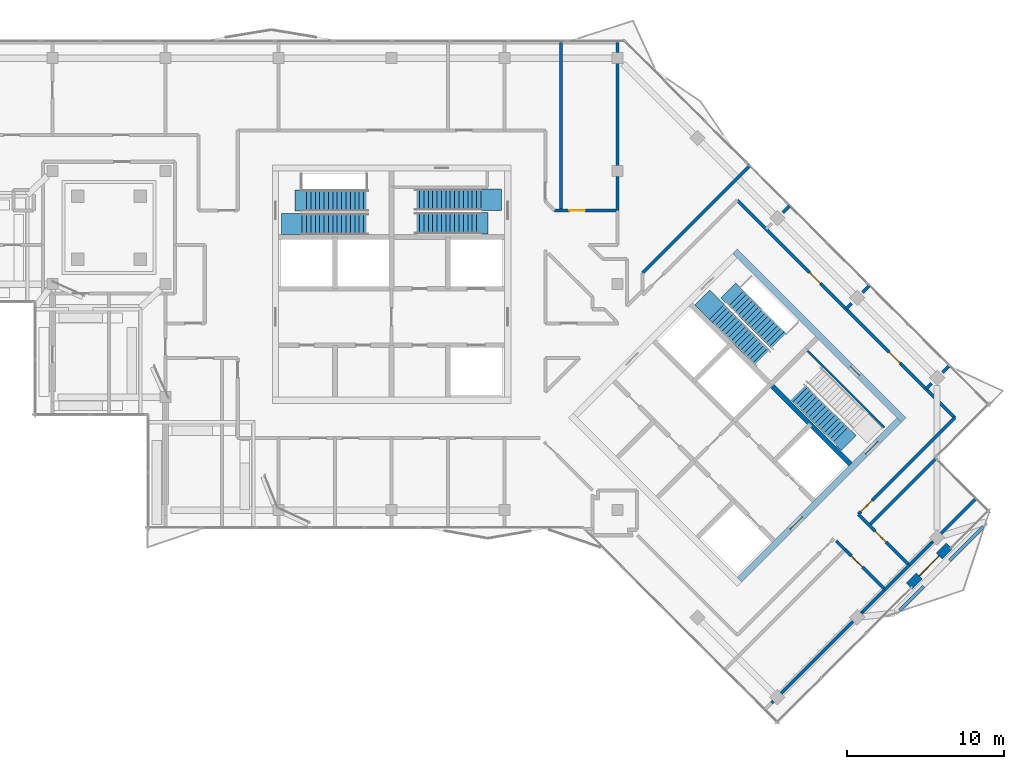
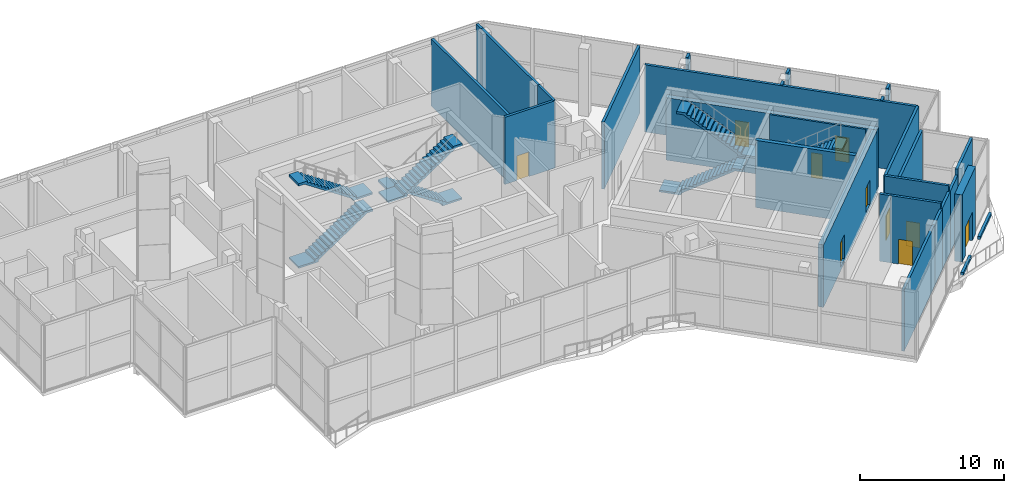
# One storey, part 15 of 19: 29 walls, 10 doors, 7 stair flights, 10 openings, 4 elements without a shape of their own.
"""IFC4 building model written with IfcOpenShell, lengths in metres."""

from ifc_helpers import new_model, si_unit, direction, frame, frame_2d, origin, place, context, subcontext, project, spatial, polyline, rectangle, outline, extrude, material, layer, layer_set, type_object, element, fill, aggregate, save


model = new_model("IFC4")

# Units and contexts
model_context = context("Model", 3, precision=1e-05, world=origin(), true_north=direction((0.0, 1.0)))
body_context = subcontext(model_context, "Body", "Model", "MODEL_VIEW")
ifc_project = project(units=[si_unit("LENGTHUNIT", "METRE"), si_unit("AREAUNIT", "SQUARE_METRE"), si_unit("VOLUMEUNIT", "CUBIC_METRE"), si_unit("PLANEANGLEUNIT", "RADIAN"), si_unit("MASSUNIT", "GRAM", prefix="KILO")], contexts=[model_context])

# Site, building, storey
site_placement = place(None, origin())
site = spatial("IfcSite", under=ifc_project, at=site_placement, CompositionType="ELEMENT")
building_placement = place(site_placement, origin())
building = spatial("IfcBuilding", under=site, at=building_placement, Name="Windrow Commons", CompositionType="ELEMENT")
storey_placement = place(building_placement, frame((0.0, 0.0, 284.6)))
storey = spatial("IfcBuildingStorey", under=building, at=storey_placement, Name="L78", CompositionType="ELEMENT", Elevation=284.6)

# Wall, opening, door
ifc_material_1 = material(Name="Brick masonry, red clay brick", Category="masonry")
ifc_layer_1 = layer(ifc_material_1, 0.55)
ifc_layer_set_1 = layer_set([ifc_layer_1], Name="Brick facade wall 550")
wall_type_1 = type_object("IfcWallType", Name="Brick facade wall 550", PredefinedType="SOLIDWALL", material=ifc_layer_set_1)
wall_1_placement = place(storey_placement, frame((97.7905, 38.3707, 0.0), z_axis=(0.0, 0.0, 1.0), x_axis=(0.7071067812, 0.7071067812, 0.0)))
wall_1 = element("IfcWall", 1, at=wall_1_placement, inside=storey, type_object=wall_type_1, Name="Brick facade wall L78 door pier 1", PredefinedType="SOLIDWALL", context=body_context, shape_type="SweptSolid", body=[
    extrude(rectangle(XDim=3.6, YDim=0.55, at=frame_2d((1.8, 0.0))), origin(), (0.0, 0.0, 1.0), 5.7),
])
opening_1_placement = place(wall_1_placement, frame((0.9, 0.0, 0.0)))
opening_1 = element("IfcOpeningElement", 2, at=opening_1_placement, cuts=wall_1, Name="Opening TD5", PredefinedType="OPENING", context=body_context, shape_type="SweptSolid", body=[
    extrude(rectangle(XDim=1.8, YDim=2.4, at=frame_2d((0.9, 1.2))), frame((0.0, 0.285, 0.0), z_axis=(0.0, -1.0, 0.0), x_axis=(1.0, 0.0, 0.0)), (0.0, 0.0, 1.0), 0.57),
])
ifc_material_2 = material(Name="Aluminium 6063-T6 anodised frame with clear glass", Category="aluminium")
door_type_1 = type_object("IfcDoorType", Name="Terrace door TD5 1800x2400", OperationType="DOUBLE_DOOR_SINGLE_SWING", PredefinedType="DOOR", material=ifc_material_2)
door_1_placement = place(opening_1_placement, origin())
door_1 = element("IfcDoor", 3, at=door_1_placement, inside=storey, type_object=door_type_1, Name="Terrace door L78 1.1", OperationType="SINGLE_SWING_LEFT", OverallHeight=2.4, OverallWidth=1.8, PredefinedType="DOOR", context=body_context, shape_type="SweptSolid", body=[
    extrude(rectangle(XDim=1.8, YDim=2.4, at=frame_2d((0.9, 1.2))), frame((0.0, 0.025, 0.0), z_axis=(0.0, -1.0, 0.0), x_axis=(1.0, 0.0, 0.0)), (0.0, 0.0, 1.0), 0.05),
])
fill(opening_1, door_1)

# Wall, openings, doors
ifc_material_3 = material(Name="Blockwork partition", Category="masonry")
ifc_layer_2 = layer(ifc_material_3, 0.2)
ifc_layer_set_2 = layer_set([ifc_layer_2], Name="IW-CORRIDOR-200")
wall_type_2 = type_object("IfcWallType", Name="IW-CORRIDOR-200", PredefinedType="PARTITIONING", material=ifc_layer_set_2)
wall_2_placement = place(storey_placement, frame((86.8327, 62.9467, 0.0), z_axis=(0.0, 0.0, 1.0), x_axis=(0.7071067812, -0.7071067812, 0.0)))
wall_2 = element("IfcWall", 4, at=wall_2_placement, inside=storey, type_object=wall_type_2, Name="W-L78-W002", PredefinedType="PARTITIONING", context=body_context, shape_type="SweptSolid", body=[
    extrude(rectangle(XDim=19.601, YDim=0.2, at=frame_2d((9.8005, 0.0))), origin(), (0.0, 0.0, 1.0), 5.7),
])
opening_2_placement = place(wall_2_placement, frame((6.4875, 0.0, 0.0)))
opening_2 = element("IfcOpeningElement", 5, at=opening_2_placement, cuts=wall_2, Name="Opening D410F", PredefinedType="OPENING", context=body_context, shape_type="SweptSolid", body=[
    extrude(rectangle(XDim=1.0, YDim=2.1, at=frame_2d((0.5, 1.05))), frame((0.0, 0.11, 0.0), z_axis=(0.0, -1.0, 0.0), x_axis=(1.0, 0.0, 0.0)), (0.0, 0.0, 1.0), 0.22),
])
opening_3_placement = place(wall_2_placement, frame((13.6875, 0.0, 0.0)))
opening_3 = element("IfcOpeningElement", 6, at=opening_3_placement, cuts=wall_2, Name="Opening D410F", PredefinedType="OPENING", context=body_context, shape_type="SweptSolid", body=[
    extrude(rectangle(XDim=1.0, YDim=2.1, at=frame_2d((0.5, 1.05))), frame((0.0, 0.11, 0.0), z_axis=(0.0, -1.0, 0.0), x_axis=(1.0, 0.0, 0.0)), (0.0, 0.0, 1.0), 0.22),
])
ifc_material_4 = material(Name="Timber door leaf", Category="wood")
door_type_2 = type_object("IfcDoorType", Name="DT-SERVICE-1000", OperationType="SINGLE_SWING_LEFT", PredefinedType="DOOR", material=ifc_material_4)
door_2_placement = place(opening_2_placement, origin())
door_2 = element("IfcDoor", 7, at=door_2_placement, inside=storey, type_object=door_type_2, Name="D-L78-D024", OperationType="SINGLE_SWING_LEFT", OverallHeight=2.1, OverallWidth=1.0, PredefinedType="DOOR", context=body_context, shape_type="SweptSolid", body=[
    extrude(rectangle(XDim=1.0, YDim=2.1, at=frame_2d((0.5, 1.05))), frame((0.0, 0.025, 0.0), z_axis=(0.0, -1.0, 0.0), x_axis=(1.0, 0.0, 0.0)), (0.0, 0.0, 1.0), 0.05),
])
fill(opening_2, door_2)
door_3_placement = place(opening_3_placement, origin())
door_3 = element("IfcDoor", 8, at=door_3_placement, inside=storey, type_object=door_type_2, Name="D-L78-D025", OperationType="SINGLE_SWING_LEFT", OverallHeight=2.1, OverallWidth=1.0, PredefinedType="DOOR", context=body_context, shape_type="SweptSolid", body=[
    extrude(rectangle(XDim=1.0, YDim=2.1, at=frame_2d((0.5, 1.05))), frame((0.0, 0.025, 0.0), z_axis=(0.0, -1.0, 0.0), x_axis=(1.0, 0.0, 0.0)), (0.0, 0.0, 1.0), 0.05),
])
fill(opening_3, door_3)

# Wall, opening, door
wall_3_placement = place(storey_placement, frame((94.5433, 42.9387, 0.0), z_axis=(0.0, 0.0, 1.0), x_axis=(0.7071067812, 0.7071067812, 0.0)))
wall_3 = element("IfcWall", 9, at=wall_3_placement, inside=storey, type_object=wall_type_2, Name="W-L78-W010", PredefinedType="PARTITIONING", context=body_context, shape_type="SweptSolid", body=[
    extrude(rectangle(XDim=8.7002, YDim=0.2, at=frame_2d((4.3501, 0.0))), origin(), (0.0, 0.0, 1.0), 5.7),
])
opening_4_placement = place(wall_3_placement, frame((0.2419, 0.0, 0.0)))
opening_4 = element("IfcOpeningElement", 10, at=opening_4_placement, cuts=wall_3, Name="Opening D410F", PredefinedType="OPENING", context=body_context, shape_type="SweptSolid", body=[
    extrude(rectangle(XDim=1.0, YDim=2.1, at=frame_2d((0.5, 1.05))), frame((0.0, 0.11, 0.0), z_axis=(0.0, -1.0, 0.0), x_axis=(1.0, 0.0, 0.0)), (0.0, 0.0, 1.0), 0.22),
])
door_4_placement = place(opening_4_placement, origin())
door_4 = element("IfcDoor", 11, at=door_4_placement, inside=storey, type_object=door_type_2, Name="D-L78-D023", OperationType="SINGLE_SWING_LEFT", OverallHeight=2.1, OverallWidth=1.0, PredefinedType="DOOR", context=body_context, shape_type="SweptSolid", body=[
    extrude(rectangle(XDim=1.0, YDim=2.1, at=frame_2d((0.5, 1.05))), frame((0.0, 0.025, 0.0), z_axis=(0.0, -1.0, 0.0), x_axis=(1.0, 0.0, 0.0)), (0.0, 0.0, 1.0), 0.05),
])
fill(opening_4, door_4)

wall_4_placement = place(storey_placement, frame((94.5409, 42.9349, 0.0), z_axis=(0.0, 0.0, 1.0), x_axis=(0.7071067812, -0.7071067812, 0.0)))
wall_4 = element("IfcWall", 12, at=wall_4_placement, inside=storey, type_object=wall_type_2, Name="W-L78-W036", PredefinedType="PARTITIONING", context=body_context, shape_type="SweptSolid", body=[
    extrude(rectangle(XDim=4.599, YDim=0.2, at=frame_2d((2.2995, 0.0))), origin(), (0.0, 0.0, 1.0), 5.7),
])
opening_5_placement = place(wall_4_placement, frame((1.5077, 0.0, 0.0)))
opening_5 = element("IfcOpeningElement", 13, at=opening_5_placement, cuts=wall_4, Name="Opening D410F", PredefinedType="OPENING", context=body_context, shape_type="SweptSolid", body=[
    extrude(rectangle(XDim=1.0, YDim=2.1, at=frame_2d((0.5, 1.05))), frame((0.0, 0.11, 0.0), z_axis=(0.0, -1.0, 0.0), x_axis=(1.0, 0.0, 0.0)), (0.0, 0.0, 1.0), 0.22),
])
door_5_placement = place(opening_5_placement, origin())
door_5 = element("IfcDoor", 14, at=door_5_placement, inside=storey, type_object=door_type_2, Name="D-L78-D028", OperationType="SINGLE_SWING_RIGHT", OverallHeight=2.1, OverallWidth=1.0, PredefinedType="DOOR", context=body_context, shape_type="SweptSolid", body=[
    extrude(rectangle(XDim=1.0, YDim=2.1, at=frame_2d((0.5, 1.05))), frame((0.0, 0.025, 0.0), z_axis=(0.0, -1.0, 0.0), x_axis=(1.0, 0.0, 0.0)), (0.0, 0.0, 1.0), 0.05),
])
fill(opening_5, door_5)

wall_5_placement = place(storey_placement, frame((75.182, 62.3, 0.0), z_axis=(0.0, 0.0, 1.0), x_axis=(1.0, 0.0, 0.0)))
wall_5 = element("IfcWall", 15, at=wall_5_placement, inside=storey, type_object=wall_type_2, Name="W-L78-W047", PredefinedType="PARTITIONING", context=body_context, shape_type="SweptSolid", body=[
    extrude(rectangle(XDim=4.018, YDim=0.2, at=frame_2d((2.009, 0.0))), origin(), (0.0, 0.0, 1.0), 5.7),
])
opening_6_placement = place(wall_5_placement, frame((0.943, 0.0, 0.0)))
opening_6 = element("IfcOpeningElement", 16, at=opening_6_placement, cuts=wall_5, Name="Opening D410F", PredefinedType="OPENING", context=body_context, shape_type="SweptSolid", body=[
    extrude(rectangle(XDim=1.0, YDim=2.1, at=frame_2d((0.5, 1.05))), frame((0.0, 0.11, 0.0), z_axis=(0.0, -1.0, 0.0), x_axis=(1.0, 0.0, 0.0)), (0.0, 0.0, 1.0), 0.22),
])
door_6_placement = place(opening_6_placement, origin())
door_6 = element("IfcDoor", 17, at=door_6_placement, inside=storey, type_object=door_type_2, Name="D-L78-D010", OperationType="SINGLE_SWING_LEFT", OverallHeight=2.1, OverallWidth=1.0, PredefinedType="DOOR", context=body_context, shape_type="SweptSolid", body=[
    extrude(rectangle(XDim=1.0, YDim=2.1, at=frame_2d((0.5, 1.05))), frame((0.0, 0.025, 0.0), z_axis=(0.0, -1.0, 0.0), x_axis=(1.0, 0.0, 0.0)), (0.0, 0.0, 1.0), 0.05),
])
fill(opening_6, door_6)

wall_6_placement = place(storey_placement, frame((93.6993, 40.6793, 0.0), z_axis=(0.0, 0.0, 1.0), x_axis=(0.7071067812, -0.7071067812, 0.0)))
wall_6 = element("IfcWall", 18, at=wall_6_placement, inside=storey, type_object=wall_type_2, Name="W-L78-W048", PredefinedType="PARTITIONING", context=body_context, shape_type="SweptSolid", body=[
    extrude(rectangle(XDim=3.6006, YDim=0.2, at=frame_2d((1.8003, 0.0))), origin(), (0.0, 0.0, 1.0), 5.7),
])
opening_7_placement = place(wall_6_placement, frame((0.5679, 0.0, 0.0)))
opening_7 = element("IfcOpeningElement", 19, at=opening_7_placement, cuts=wall_6, Name="Opening D410F", PredefinedType="OPENING", context=body_context, shape_type="SweptSolid", body=[
    extrude(rectangle(XDim=1.0, YDim=2.1, at=frame_2d((0.5, 1.05))), frame((0.0, 0.11, 0.0), z_axis=(0.0, -1.0, 0.0), x_axis=(1.0, 0.0, 0.0)), (0.0, 0.0, 1.0), 0.22),
])
door_7_placement = place(opening_7_placement, origin())
door_7 = element("IfcDoor", 20, at=door_7_placement, inside=storey, type_object=door_type_2, Name="D-L78-D027", OperationType="SINGLE_SWING_LEFT", OverallHeight=2.1, OverallWidth=1.0, PredefinedType="DOOR", context=body_context, shape_type="SweptSolid", body=[
    extrude(rectangle(XDim=1.0, YDim=2.1, at=frame_2d((0.5, 1.05))), frame((0.0, 0.025, 0.0), z_axis=(0.0, -1.0, 0.0), x_axis=(1.0, 0.0, 0.0)), (0.0, 0.0, 1.0), 0.05),
])
fill(opening_7, door_7)

# Walls
wall_7_placement = place(storey_placement, frame((96.2402, 38.1318, 0.0), z_axis=(0.0, 0.0, 1.0), x_axis=(0.706651904, 0.7075613659, 0.0)))
element("IfcWall", 21, at=wall_7_placement, inside=storey, type_object=wall_type_2, Name="W-L78-W067", PredefinedType="PARTITIONING", context=body_context, shape_type="SweptSolid", body=[
    extrude(rectangle(XDim=2.1991, YDim=0.2, at=frame_2d((1.0996, 0.0))), origin(), (0.0, 0.0, 1.0), 5.2),
])
wall_8_placement = place(storey_placement, frame((93.1308, 41.2408, 0.0), z_axis=(0.0, 0.0, 1.0), x_axis=(0.7083571881, -0.7058541592, 0.0)))
element("IfcWall", 22, at=wall_8_placement, inside=storey, type_object=wall_type_2, Name="W-L78-W092", PredefinedType="PARTITIONING", context=body_context, shape_type="SweptSolid", body=[
    extrude(rectangle(XDim=0.799, YDim=0.2, at=frame_2d((0.3995, 0.0))), origin(), (0.0, 0.0, 1.0), 5.7),
])
ifc_material_5 = material(Name="Blockwork partition", Category="masonry")
ifc_layer_3 = layer(ifc_material_5, 0.2)
ifc_layer_set_3 = layer_set([ifc_layer_3], Name="IW-PARTY-200")
wall_type_3 = type_object("IfcWallType", Name="IW-PARTY-200", PredefinedType="PARTITIONING", material=ifc_layer_set_3)
wall_9_placement = place(storey_placement, frame((75.6, 62.3, 0.0), z_axis=(0.0, 0.0, 1.0), x_axis=(0.0, 1.0, 0.0)))
element("IfcWall", 23, at=wall_9_placement, inside=storey, type_object=wall_type_3, Name="W-L78-W007", PredefinedType="PARTITIONING", context=body_context, shape_type="SweptSolid", body=[
    extrude(rectangle(XDim=10.7, YDim=0.2, at=frame_2d((5.35, 0.0))), origin(), (0.0, 0.0, 1.0), 5.7),
])
wall_10_placement = place(storey_placement, frame((80.7989, 58.3271, 0.0), z_axis=(0.0, 0.0, 1.0), x_axis=(0.7071067812, 0.7071067812, 0.0)))
element("IfcWall", 24, at=wall_10_placement, inside=storey, type_object=wall_type_3, Name="W-L78-W008", PredefinedType="PARTITIONING", context=body_context, shape_type="SweptSolid", body=[
    extrude(rectangle(XDim=9.6082, YDim=0.2, at=frame_2d((4.8041, 0.0))), origin(), (0.0, 0.0, 1.0), 5.7),
])
wall_11_placement = place(storey_placement, frame((79.2, 64.45, 0.0), z_axis=(0.0, 0.0, 1.0), x_axis=(0.0, 1.0, 0.0)))
element("IfcWall", 25, at=wall_11_placement, inside=storey, type_object=wall_type_3, Name="W-L78-W019", PredefinedType="PARTITIONING", context=body_context, shape_type="SweptSolid", body=[
    extrude(rectangle(XDim=7.9, YDim=0.2, at=frame_2d((3.95, 0.0))), origin(), (0.0, 0.0, 1.0), 5.7),
])
wall_12_placement = place(storey_placement, frame((89.031, 30.921, 0.0), z_axis=(0.0, 0.0, 1.0), x_axis=(0.7071067812, 0.7071067812, 0.0)))
element("IfcWall", 26, at=wall_12_placement, inside=storey, type_object=wall_type_3, Name="W-L78-W021", PredefinedType="PARTITIONING", context=body_context, shape_type="SweptSolid", body=[
    extrude(rectangle(XDim=8.1911, YDim=0.2, at=frame_2d((4.0956, 0.0))), origin(), (0.0, 0.0, 1.0), 5.2),
])
wall_13_placement = place(storey_placement, frame((95.2504, 42.2316, 0.0), z_axis=(0.0, 0.0, 1.0), x_axis=(0.7071067812, 0.7071067812, 0.0)))
element("IfcWall", 27, at=wall_13_placement, inside=storey, type_object=wall_type_3, Name="W-L78-W022", PredefinedType="PARTITIONING", context=body_context, shape_type="SweptSolid", body=[
    extrude(rectangle(XDim=5.9708, YDim=0.2, at=frame_2d((2.9854, 0.0))), origin(), (0.0, 0.0, 1.0), 5.7),
])
wall_14_placement = place(storey_placement, frame((99.214, 41.104, 0.0), z_axis=(0.0, 0.0, 1.0), x_axis=(0.7071067812, 0.7071067812, 0.0)))
element("IfcWall", 28, at=wall_14_placement, inside=storey, type_object=wall_type_3, Name="W-L78-W054", PredefinedType="PARTITIONING", context=body_context, shape_type="SweptSolid", body=[
    extrude(rectangle(XDim=3.9655, YDim=0.2, at=frame_2d((1.9828, 0.0))), origin(), (0.0, 0.0, 1.0), 5.7),
])
wall_15_placement = place(storey_placement, frame((79.2, 62.3, 0.0), z_axis=(0.0, 0.0, 1.0), x_axis=(0.0, 1.0, 0.0)))
element("IfcWall", 29, at=wall_15_placement, inside=storey, type_object=wall_type_3, Name="W-L78-W070", PredefinedType="PARTITIONING", context=body_context, shape_type="SweptSolid", body=[
    extrude(rectangle(XDim=2.15, YDim=0.2, at=frame_2d((1.075, 0.0))), origin(), (0.0, 0.0, 1.0), 5.7),
])
for number, where, z_axis, x_axis, name in (
    (30, (94.823, 36.713, 0.0), (0.0, 0.0, 1.0), (0.7071067812, 0.7071067812, 0.0), "W-L78-W074"),
    (31, (97.796, 39.686, 0.0), (0.0, 0.0, 1.0), (0.7071067812, 0.7071067812, 0.0), "W-L78-W075"),
):
    element("IfcWall", number, at=place(storey_placement, frame(where, z_axis=z_axis, x_axis=x_axis)), inside=storey, type_object=wall_type_3, Name=name, PredefinedType="PARTITIONING", context=body_context, shape_type="SweptSolid", body=[
        extrude(rectangle(XDim=2.0054, YDim=0.2, at=frame_2d((1.0027, 0.0))), origin(), (0.0, 0.0, 1.0), 5.2),
    ])
wall_16_placement = place(storey_placement, frame((79.2, 72.35, 0.0), z_axis=(0.0, 0.0, 1.0), x_axis=(0.0, 1.0, 0.0)))
element("IfcWall", 32, at=wall_16_placement, inside=storey, type_object=wall_type_3, Name="W-L78-W106", PredefinedType="PARTITIONING", context=body_context, shape_type="SweptSolid", body=[
    extrude(rectangle(XDim=0.65, YDim=0.2, at=frame_2d((0.325, 0.0))), origin(), (0.0, 0.0, 1.0), 5.7),
])
for number, where, z_axis, x_axis, name in (
    (33, (94.8217, 57.0763, 0.0), (0.0, 0.0, 1.0), (0.7071067812, 0.7071067812, 0.0), "W-L78-W109"),
    (34, (99.9128, 51.9852, 0.0), (0.0, 0.0, 1.0), (0.7071067812, 0.7071067812, 0.0), "W-L78-W110"),
):
    element("IfcWall", number, at=place(storey_placement, frame(where, z_axis=z_axis, x_axis=x_axis)), inside=storey, type_object=wall_type_3, Name=name, PredefinedType="PARTITIONING", context=body_context, shape_type="SweptSolid", body=[
        extrude(rectangle(XDim=0.577, YDim=0.2, at=frame_2d((0.2885, 0.0))), origin(), (0.0, 0.0, 1.0), 5.7),
    ])
wall_17_placement = place(storey_placement, frame((89.7343, 62.1657, 0.0), z_axis=(0.0, 0.0, 1.0), x_axis=(0.7088420047, 0.705367289, 0.0)))
element("IfcWall", 35, at=wall_17_placement, inside=storey, type_object=wall_type_3, Name="W-L78-W111", PredefinedType="PARTITIONING", context=body_context, shape_type="SweptSolid", body=[
    extrude(rectangle(XDim=0.5756, YDim=0.2, at=frame_2d((0.2878, 0.0))), origin(), (0.0, 0.0, 1.0), 5.7),
])
for number, where, z_axis, x_axis, name in (
    (36, (93.7657, 56.0203, 0.0), (0.0, 0.0, 1.0), (0.7071067812, 0.7071067812, 0.0), "W-L78-W114"),
    (37, (98.8568, 50.9292, 0.0), (0.0, 0.0, 1.0), (0.7071067812, 0.7071067812, 0.0), "W-L78-W115"),
):
    element("IfcWall", number, at=place(storey_placement, frame(where, z_axis=z_axis, x_axis=x_axis)), inside=storey, type_object=wall_type_3, Name=name, PredefinedType="PARTITIONING", context=body_context, shape_type="SweptSolid", body=[
        extrude(rectangle(XDim=0.5063, YDim=0.2, at=frame_2d((0.2531, 0.0))), origin(), (0.0, 0.0, 1.0), 5.7),
    ])

# Wall, opening, door
ifc_material_6 = material(Name="Concrete C40/50", Category="concrete")
ifc_layer_4 = layer(ifc_material_6, 0.4)
ifc_layer_set_4 = layer_set([ifc_layer_4], Name="RC CORE WALL 400 C40/50")
wall_type_4 = type_object("IfcWallType", Name="RC CORE WALL 400 C40/50", PredefinedType="SHEAR", material=ifc_layer_set_4)
wall_18_placement = place(storey_placement, frame((86.6953, 59.6963, -0.3), z_axis=(0.0, 0.0, 1.0), x_axis=(0.7071100706, -0.7071034917, 0.0)))
wall_18 = element("IfcWall", 38, at=wall_18_placement, inside=storey, type_object=wall_type_4, Name="Core B wall outer-N", PredefinedType="SHEAR", context=body_context, shape_type="SweptSolid", body=[
    extrude(rectangle(XDim=15.2, YDim=0.4, at=frame_2d((7.6, 0.0))), origin(), (0.0, 0.0, 1.0), 5.3),
])
opening_8_placement = place(wall_18_placement, frame((10.4, 0.0, 0.3)))
opening_8 = element("IfcOpeningElement", 39, at=opening_8_placement, cuts=wall_18, Name="Opening D9", PredefinedType="OPENING", context=body_context, shape_type="SweptSolid", body=[
    extrude(rectangle(XDim=0.8, YDim=2.1, at=frame_2d((0.4, 1.05))), frame((0.0, 0.21, 0.0), z_axis=(0.0, -1.0, 0.0), x_axis=(1.0, 0.0, 0.0)), (0.0, 0.0, 1.0), 0.42),
])
ifc_material_7 = material(Name="Steel fire door leaf", Category="steel")
door_type_3 = type_object("IfcDoorType", Name="Riser access door 800", OperationType="SINGLE_SWING_LEFT", PredefinedType="DOOR", material=ifc_material_7)
door_8_placement = place(opening_8_placement, origin())
door_8 = element("IfcDoor", 40, at=door_8_placement, inside=storey, type_object=door_type_3, Name="Riser access door", OperationType="SINGLE_SWING_RIGHT", OverallHeight=2.1, OverallWidth=0.8, PredefinedType="DOOR", context=body_context, shape_type="SweptSolid", body=[
    extrude(rectangle(XDim=0.8, YDim=2.1, at=frame_2d((0.4, 1.05))), frame((0.0, 0.025, 0.0), z_axis=(0.0, -1.0, 0.0), x_axis=(1.0, 0.0, 0.0)), (0.0, 0.0, 1.0), 0.05),
])
fill(opening_8, door_8)

# Wall, openings, doors
wall_19_placement = place(storey_placement, frame((86.9782, 38.766, -0.3), z_axis=(0.0, 0.0, 1.0), x_axis=(0.7071067812, 0.7071067812, 0.0)))
wall_19 = element("IfcWall", 41, at=wall_19_placement, inside=storey, type_object=wall_type_4, Name="Core B wall outer-E", PredefinedType="SHEAR", context=body_context, shape_type="SweptSolid", body=[
    extrude(rectangle(XDim=14.3999, YDim=0.4, at=frame_2d((7.2, 0.0))), origin(), (0.0, 0.0, 1.0), 5.3),
])
opening_9_placement = place(wall_19_placement, frame((4.55, 0.0, 0.3)))
opening_9 = element("IfcOpeningElement", 42, at=opening_9_placement, cuts=wall_19, Name="Opening D6", PredefinedType="OPENING", context=body_context, shape_type="SweptSolid", body=[
    extrude(rectangle(XDim=1.1, YDim=2.1, at=frame_2d((0.55, 1.05))), frame((0.0, 0.21, 0.0), z_axis=(0.0, -1.0, 0.0), x_axis=(1.0, 0.0, 0.0)), (0.0, 0.0, 1.0), 0.42),
])
opening_10_placement = place(wall_19_placement, frame((11.35, 0.0, 0.3)))
opening_10 = element("IfcOpeningElement", 43, at=opening_10_placement, cuts=wall_19, Name="Opening D7", PredefinedType="OPENING", context=body_context, shape_type="SweptSolid", body=[
    extrude(rectangle(XDim=1.1, YDim=2.1, at=frame_2d((0.55, 1.05))), frame((0.0, 0.21, 0.0), z_axis=(0.0, -1.0, 0.0), x_axis=(1.0, 0.0, 0.0)), (0.0, 0.0, 1.0), 0.42),
])
ifc_material_8 = material(Name="Steel fire door leaf", Category="steel")
door_type_4 = type_object("IfcDoorType", Name="Core lobby door 1100", OperationType="SINGLE_SWING_LEFT", PredefinedType="DOOR", material=ifc_material_8)
door_9_placement = place(opening_9_placement, origin())
door_9 = element("IfcDoor", 44, at=door_9_placement, inside=storey, type_object=door_type_4, Name="Lift lobby door", OperationType="DOUBLE_DOOR_SINGLE_SWING", OverallHeight=2.1, OverallWidth=1.1, PredefinedType="DOOR", context=body_context, shape_type="SweptSolid", body=[
    extrude(rectangle(XDim=1.1, YDim=2.1, at=frame_2d((0.55, 1.05))), frame((0.0, 0.025, 0.0), z_axis=(0.0, -1.0, 0.0), x_axis=(1.0, 0.0, 0.0)), (0.0, 0.0, 1.0), 0.05),
])
fill(opening_9, door_9)
ifc_material_9 = material(Name="Steel fire door leaf", Category="steel")
door_type_5 = type_object("IfcDoorType", Name="Stair door 1100", OperationType="SINGLE_SWING_LEFT", PredefinedType="DOOR", material=ifc_material_9)
door_10_placement = place(opening_10_placement, origin())
door_10 = element("IfcDoor", 45, at=door_10_placement, inside=storey, type_object=door_type_5, Name="Stair door", OperationType="SINGLE_SWING_RIGHT", OverallHeight=2.1, OverallWidth=1.1, PredefinedType="DOOR", context=body_context, shape_type="SweptSolid", body=[
    extrude(rectangle(XDim=1.1, YDim=2.1, at=frame_2d((0.55, 1.05))), frame((0.0, 0.025, 0.0), z_axis=(0.0, -1.0, 0.0), x_axis=(1.0, 0.0, 0.0)), (0.0, 0.0, 1.0), 0.05),
])
fill(opening_10, door_10)

# Walls
ifc_material_10 = material(Name="Concrete C40/50", Category="concrete")
ifc_layer_5 = layer(ifc_material_10, 0.3)
ifc_layer_set_5 = layer_set([ifc_layer_5], Name="RC SHAFT WALL 300 C40/50")
wall_type_5 = type_object("IfcWallType", Name="RC SHAFT WALL 300 C40/50", PredefinedType="SOLIDWALL", material=ifc_layer_set_5)
wall_20_placement = place(storey_placement, frame((88.9581, 51.2111, 0.0), z_axis=(0.0, 0.0, 1.0), x_axis=(0.7070998367, -0.7071137256, 0.0)))
element("IfcWall", 46, at=wall_20_placement, inside=storey, type_object=wall_type_5, Name="Core B wall stair-S2", PredefinedType="SOLIDWALL", context=body_context, shape_type="SweptSolid", body=[
    extrude(rectangle(XDim=7.2, YDim=0.3, at=frame_2d((3.6, 0.0))), origin(), (0.0, 0.0, 1.0), 5.7),
])
ifc_material_11 = material(Name="Blockwork partition", Category="masonry")
ifc_layer_6 = layer(ifc_material_11, 0.15)
ifc_layer_set_6 = layer_set([ifc_layer_6], Name="Riser partition 150")
wall_type_6 = type_object("IfcWallType", Name="Riser partition 150", PredefinedType="PARTITIONING", material=ifc_layer_set_6)
wall_21_placement = place(storey_placement, frame((91.3127, 53.3536, 0.0), z_axis=(0.0, 0.0, 1.0), x_axis=(0.7071140275, -0.7070995348, 0.0)))
element("IfcWall", 47, at=wall_21_placement, inside=storey, type_object=wall_type_6, Name="W-core-strip-B-L78", PredefinedType="PARTITIONING", context=body_context, shape_type="SweptSolid", body=[
    extrude(rectangle(XDim=6.9, YDim=0.15, at=frame_2d((3.45, 0.0))), origin(), (0.0, 0.0, 1.0), 5.7),
])
ifc_material_12 = material(Name="Brick masonry, red clay brick", Category="masonry")
ifc_layer_7 = layer(ifc_material_12, 0.2)
ifc_layer_set_7 = layer_set([ifc_layer_7], Name="Terrace edge parapet 200")
wall_type_7 = type_object("IfcWallType", Name="Terrace edge parapet 200", PredefinedType="PARAPET", material=ifc_layer_set_7)
wall_22_placement = place(storey_placement, frame((102.5179, 42.1433, 0.0), z_axis=(0.0, 0.0, 1.0), x_axis=(-0.7071067812, -0.7071067812, 0.0)))
element("IfcWall", 48, at=wall_22_placement, inside=storey, type_object=wall_type_7, Name="Terrace parapet TR-L78-5.1.1", PredefinedType="PARAPET", context=body_context, shape_type="SweptSolid", body=[
    extrude(outline(polyline([(0.0, -0.1), (3.0404, -0.1), (3.0404, 0.1), (0.0, 0.1), (0.0, -0.1)])), origin(), (0.0, 0.0, 1.0), 0.25),
])
wall_23_placement = place(storey_placement, frame((98.7134, 38.3388, 0.0), z_axis=(0.0, 0.0, 1.0), x_axis=(-0.7071297964, -0.7070837653, 0.0)))
element("IfcWall", 49, at=wall_23_placement, inside=storey, type_object=wall_type_7, Name="Terrace parapet TR-L78-5.1.1", PredefinedType="PARAPET", context=body_context, shape_type="SweptSolid", body=[
    extrude(outline(polyline([(0.0, -0.1), (2.1724, -0.1), (2.1724, 0.1), (0.0, 0.1), (0.0, -0.1)])), origin(), (0.0, 0.0, 1.0), 0.25),
])

# Stair, stair flights
ifc_material_13 = material(Name="Concrete C40/50", Category="concrete")
stair_type = type_object("IfcStairType", Name="Core stair", PredefinedType="HALF_TURN_STAIR", material=ifc_material_13)
placement = place(storey_placement, origin())
stair_1 = element("IfcStair", 50, at=placement, inside=storey, type_object=stair_type, Name="L78 Exit stair A1 core A", PredefinedType="HALF_TURN_STAIR")
ifc_material_14 = material(Name="Concrete C40/50", Category="concrete")
stair_flight_type = type_object("IfcStairFlightType", Name="Core stair flight", PredefinedType="STRAIGHT", material=ifc_material_14)
stair_flight_1_placement = place(storey_placement, frame((59.1, 61.425, 0.0), z_axis=(0.0, 0.0, 1.0), x_axis=(1.0, 0.0, 0.0)))
stair_flight_1 = element("IfcStairFlight", 51, at=stair_flight_1_placement, type_object=stair_flight_type, Name="ST-A1 flight 1", NumberOfRisers=16, NumberOfTreads=15, PredefinedType="STRAIGHT", RiserHeight=0.1875, TreadLength=0.28, context=body_context, shape_type="SweptSolid", body=[
    extrude(outline(polyline([(-1.3, -0.15), (-1.3, 0.0), (0.0, 0.0), (0.0, 0.1875), (0.28, 0.1875), (0.28, 0.375), (0.56, 0.375), (0.56, 0.5625), (0.84, 0.5625), (0.84, 0.75), (1.12, 0.75), (1.12, 0.9375), (1.4, 0.9375), (1.4, 1.125), (1.68, 1.125), (1.68, 1.3125), (1.96, 1.3125), (1.96, 1.5), (2.24, 1.5), (2.24, 1.6875), (2.52, 1.6875), (2.52, 1.875), (2.8, 1.875), (2.8, 2.0625), (3.08, 2.0625), (3.08, 2.25), (3.36, 2.25), (3.36, 2.4375), (3.64, 2.4375), (3.64, 2.625), (3.92, 2.625), (3.92, 2.8125), (4.2, 2.8125), (4.65, 2.8125), (4.65, 2.6125), (4.2, 2.6125), (4.2, 2.632), (0.2696, 0.0), (0.2696, -0.15), (-1.3, -0.15)])), frame((0.0, 0.675, 0.0), z_axis=(0.0, -1.0, 0.0), x_axis=(1.0, 0.0, 0.0)), (0.0, 0.0, 1.0), 1.35),
])
stair_flight_2_placement = place(storey_placement, frame((63.3, 62.925, 3.0), z_axis=(0.0, 0.0, 1.0), x_axis=(-1.0, 0.0, 0.0)))
stair_flight_2 = element("IfcStairFlight", 52, at=stair_flight_2_placement, type_object=stair_flight_type, Name="ST-A1 flight 2", NumberOfRisers=16, NumberOfTreads=15, PredefinedType="STRAIGHT", RiserHeight=0.1875, TreadLength=0.28, context=body_context, shape_type="SweptSolid", body=[
    extrude(outline(polyline([(-1.3, -0.15), (-1.3, 0.0), (0.0, 0.0), (0.0, 0.1875), (0.28, 0.1875), (0.28, 0.375), (0.56, 0.375), (0.56, 0.5625), (0.84, 0.5625), (0.84, 0.75), (1.12, 0.75), (1.12, 0.9375), (1.4, 0.9375), (1.4, 1.125), (1.68, 1.125), (1.68, 1.3125), (1.96, 1.3125), (1.96, 1.5), (2.24, 1.5), (2.24, 1.6875), (2.52, 1.6875), (2.52, 1.875), (2.8, 1.875), (2.8, 2.0625), (3.08, 2.0625), (3.08, 2.25), (3.36, 2.25), (3.36, 2.4375), (3.64, 2.4375), (3.64, 2.625), (3.92, 2.625), (3.92, 2.8125), (4.2, 2.8125), (4.65, 2.8125), (4.65, 2.6125), (4.2, 2.6125), (4.2, 2.632), (0.2696, 0.0), (0.2696, -0.15), (-1.3, -0.15)])), frame((0.0, 0.675, 0.0), z_axis=(0.0, -1.0, 0.0), x_axis=(1.0, 0.0, 0.0)), (0.0, 0.0, 1.0), 1.35),
])
aggregate(stair_1, [stair_flight_1, stair_flight_2])

stair_2 = element("IfcStair", 53, at=placement, inside=storey, type_object=stair_type, Name="L78 Exit stair A2 core A", PredefinedType="HALF_TURN_STAIR")
stair_flight_3_placement = place(storey_placement, frame((70.5, 62.98, 0.0), z_axis=(0.0, 0.0, 1.0), x_axis=(-1.0, 0.0, 0.0)))
stair_flight_3 = element("IfcStairFlight", 54, at=stair_flight_3_placement, type_object=stair_flight_type, Name="ST-A2 flight 1", NumberOfRisers=16, NumberOfTreads=15, PredefinedType="STRAIGHT", RiserHeight=0.1875, TreadLength=0.28, context=body_context, shape_type="SweptSolid", body=[
    extrude(outline(polyline([(-1.3, -0.15), (-1.3, 0.0), (0.0, 0.0), (0.0, 0.1875), (0.28, 0.1875), (0.28, 0.375), (0.56, 0.375), (0.56, 0.5625), (0.84, 0.5625), (0.84, 0.75), (1.12, 0.75), (1.12, 0.9375), (1.4, 0.9375), (1.4, 1.125), (1.68, 1.125), (1.68, 1.3125), (1.96, 1.3125), (1.96, 1.5), (2.24, 1.5), (2.24, 1.6875), (2.52, 1.6875), (2.52, 1.875), (2.8, 1.875), (2.8, 2.0625), (3.08, 2.0625), (3.08, 2.25), (3.36, 2.25), (3.36, 2.4375), (3.64, 2.4375), (3.64, 2.625), (3.92, 2.625), (3.92, 2.8125), (4.2, 2.8125), (4.65, 2.8125), (4.65, 2.6125), (4.2, 2.6125), (4.2, 2.632), (0.2696, 0.0), (0.2696, -0.15), (-1.3, -0.15)])), frame((0.0, 0.675, 0.0), z_axis=(0.0, -1.0, 0.0), x_axis=(1.0, 0.0, 0.0)), (0.0, 0.0, 1.0), 1.35),
])
stair_flight_4_placement = place(storey_placement, frame((66.3, 61.48, 3.0), z_axis=(0.0, 0.0, 1.0), x_axis=(1.0, 0.0, 0.0)))
stair_flight_4 = element("IfcStairFlight", 55, at=stair_flight_4_placement, type_object=stair_flight_type, Name="ST-A2 flight 2", NumberOfRisers=16, NumberOfTreads=15, PredefinedType="STRAIGHT", RiserHeight=0.1875, TreadLength=0.28, context=body_context, shape_type="SweptSolid", body=[
    extrude(outline(polyline([(-1.3, -0.15), (-1.3, 0.0), (0.0, 0.0), (0.0, 0.1875), (0.28, 0.1875), (0.28, 0.375), (0.56, 0.375), (0.56, 0.5625), (0.84, 0.5625), (0.84, 0.75), (1.12, 0.75), (1.12, 0.9375), (1.4, 0.9375), (1.4, 1.125), (1.68, 1.125), (1.68, 1.3125), (1.96, 1.3125), (1.96, 1.5), (2.24, 1.5), (2.24, 1.6875), (2.52, 1.6875), (2.52, 1.875), (2.8, 1.875), (2.8, 2.0625), (3.08, 2.0625), (3.08, 2.25), (3.36, 2.25), (3.36, 2.4375), (3.64, 2.4375), (3.64, 2.625), (3.92, 2.625), (3.92, 2.8125), (4.2, 2.8125), (4.65, 2.8125), (4.65, 2.6125), (4.2, 2.6125), (4.2, 2.632), (0.2696, 0.0), (0.2696, -0.15), (-1.3, -0.15)])), frame((0.0, 0.675, 0.0), z_axis=(0.0, -1.0, 0.0), x_axis=(1.0, 0.0, 0.0)), (0.0, 0.0, 1.0), 1.35),
])
aggregate(stair_2, [stair_flight_3, stair_flight_4])

stair_3 = element("IfcStair", 56, at=placement, inside=storey, type_object=stair_type, Name="L78 Exit stair B1 core B", PredefinedType="HALF_TURN_STAIR")
stair_flight_5_placement = place(storey_placement, frame((85.5109, 55.8249, 0.0), z_axis=(0.0, 0.0, 1.0), x_axis=(0.7071067812, -0.7071067812, 0.0)))
stair_flight_5 = element("IfcStairFlight", 57, at=stair_flight_5_placement, type_object=stair_flight_type, Name="ST-B1 flight 1", NumberOfRisers=16, NumberOfTreads=15, PredefinedType="STRAIGHT", RiserHeight=0.1875, TreadLength=0.28, context=body_context, shape_type="SweptSolid", body=[
    extrude(outline(polyline([(-1.3, -0.15), (-1.3, 0.0), (0.0, 0.0), (0.0, 0.1875), (0.28, 0.1875), (0.28, 0.375), (0.56, 0.375), (0.56, 0.5625), (0.84, 0.5625), (0.84, 0.75), (1.12, 0.75), (1.12, 0.9375), (1.4, 0.9375), (1.4, 1.125), (1.68, 1.125), (1.68, 1.3125), (1.96, 1.3125), (1.96, 1.5), (2.24, 1.5), (2.24, 1.6875), (2.52, 1.6875), (2.52, 1.875), (2.8, 1.875), (2.8, 2.0625), (3.08, 2.0625), (3.08, 2.25), (3.36, 2.25), (3.36, 2.4375), (3.64, 2.4375), (3.64, 2.625), (3.92, 2.625), (3.92, 2.8125), (4.2, 2.8125), (4.65, 2.8125), (4.65, 2.6125), (4.2, 2.6125), (4.2, 2.632), (0.2696, 0.0), (0.2696, -0.15), (-1.3, -0.15)])), frame((0.0, 0.675, 0.0), z_axis=(0.0, -1.0, 0.0), x_axis=(1.0, 0.0, 0.0)), (0.0, 0.0, 1.0), 1.35),
])
stair_flight_6_placement = place(storey_placement, frame((89.5414, 53.9157, 3.0), z_axis=(0.0, 0.0, 1.0), x_axis=(-0.7071067812, 0.7071067812, 0.0)))
stair_flight_6 = element("IfcStairFlight", 58, at=stair_flight_6_placement, type_object=stair_flight_type, Name="ST-B1 flight 2", NumberOfRisers=16, NumberOfTreads=15, PredefinedType="STRAIGHT", RiserHeight=0.1875, TreadLength=0.28, context=body_context, shape_type="SweptSolid", body=[
    extrude(outline(polyline([(-1.3, -0.15), (-1.3, 0.0), (0.0, 0.0), (0.0, 0.1875), (0.28, 0.1875), (0.28, 0.375), (0.56, 0.375), (0.56, 0.5625), (0.84, 0.5625), (0.84, 0.75), (1.12, 0.75), (1.12, 0.9375), (1.4, 0.9375), (1.4, 1.125), (1.68, 1.125), (1.68, 1.3125), (1.96, 1.3125), (1.96, 1.5), (2.24, 1.5), (2.24, 1.6875), (2.52, 1.6875), (2.52, 1.875), (2.8, 1.875), (2.8, 2.0625), (3.08, 2.0625), (3.08, 2.25), (3.36, 2.25), (3.36, 2.4375), (3.64, 2.4375), (3.64, 2.625), (3.92, 2.625), (3.92, 2.8125), (4.2, 2.8125), (4.65, 2.8125), (4.65, 2.6125), (4.2, 2.6125), (4.2, 2.632), (0.2696, 0.0), (0.2696, -0.15), (-1.3, -0.15)])), frame((0.0, 0.675, 0.0), z_axis=(0.0, -1.0, 0.0), x_axis=(1.0, 0.0, 0.0)), (0.0, 0.0, 1.0), 1.35),
])
aggregate(stair_3, [stair_flight_5, stair_flight_6])

# Stair, stair flight
stair_4 = element("IfcStair", 59, at=placement, inside=storey, type_object=stair_type, Name="L78 Exit stair B2 core B", PredefinedType="HALF_TURN_STAIR")
stair_flight_7_placement = place(storey_placement, frame((90.641, 50.7727, 3.0), z_axis=(0.0, 0.0, 1.0), x_axis=(0.7071067812, -0.7071067812, 0.0)))
stair_flight_7 = element("IfcStairFlight", 60, at=stair_flight_7_placement, type_object=stair_flight_type, Name="ST-B2 flight 2", NumberOfRisers=16, NumberOfTreads=15, PredefinedType="STRAIGHT", RiserHeight=0.1875, TreadLength=0.28, context=body_context, shape_type="SweptSolid", body=[
    extrude(outline(polyline([(-1.3, -0.15), (-1.3, 0.0), (0.0, 0.0), (0.0, 0.1875), (0.28, 0.1875), (0.28, 0.375), (0.56, 0.375), (0.56, 0.5625), (0.84, 0.5625), (0.84, 0.75), (1.12, 0.75), (1.12, 0.9375), (1.4, 0.9375), (1.4, 1.125), (1.68, 1.125), (1.68, 1.3125), (1.96, 1.3125), (1.96, 1.5), (2.24, 1.5), (2.24, 1.6875), (2.52, 1.6875), (2.52, 1.875), (2.8, 1.875), (2.8, 2.0625), (3.08, 2.0625), (3.08, 2.25), (3.36, 2.25), (3.36, 2.4375), (3.64, 2.4375), (3.64, 2.625), (3.92, 2.625), (3.92, 2.8125), (4.2, 2.8125), (4.65, 2.8125), (4.65, 2.6125), (4.2, 2.6125), (4.2, 2.632), (0.2696, 0.0), (0.2696, -0.15), (-1.3, -0.15)])), frame((0.0, 0.675, 0.0), z_axis=(0.0, -1.0, 0.0), x_axis=(1.0, 0.0, 0.0)), (0.0, 0.0, 1.0), 1.35),
])
aggregate(stair_4, [stair_flight_7])

save(model, "model.ifc")
